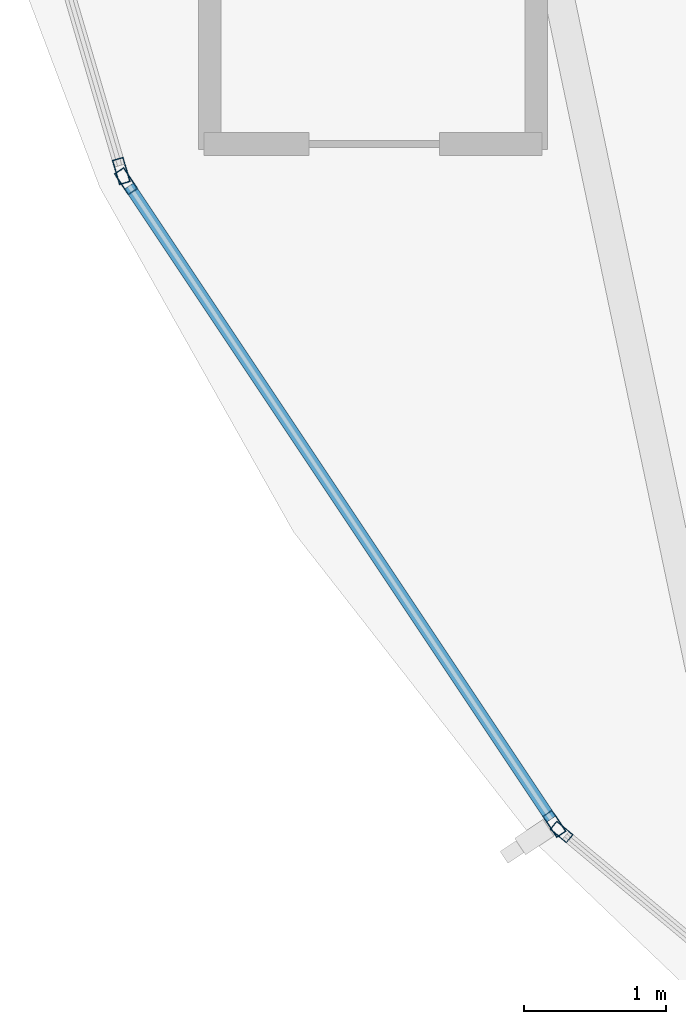
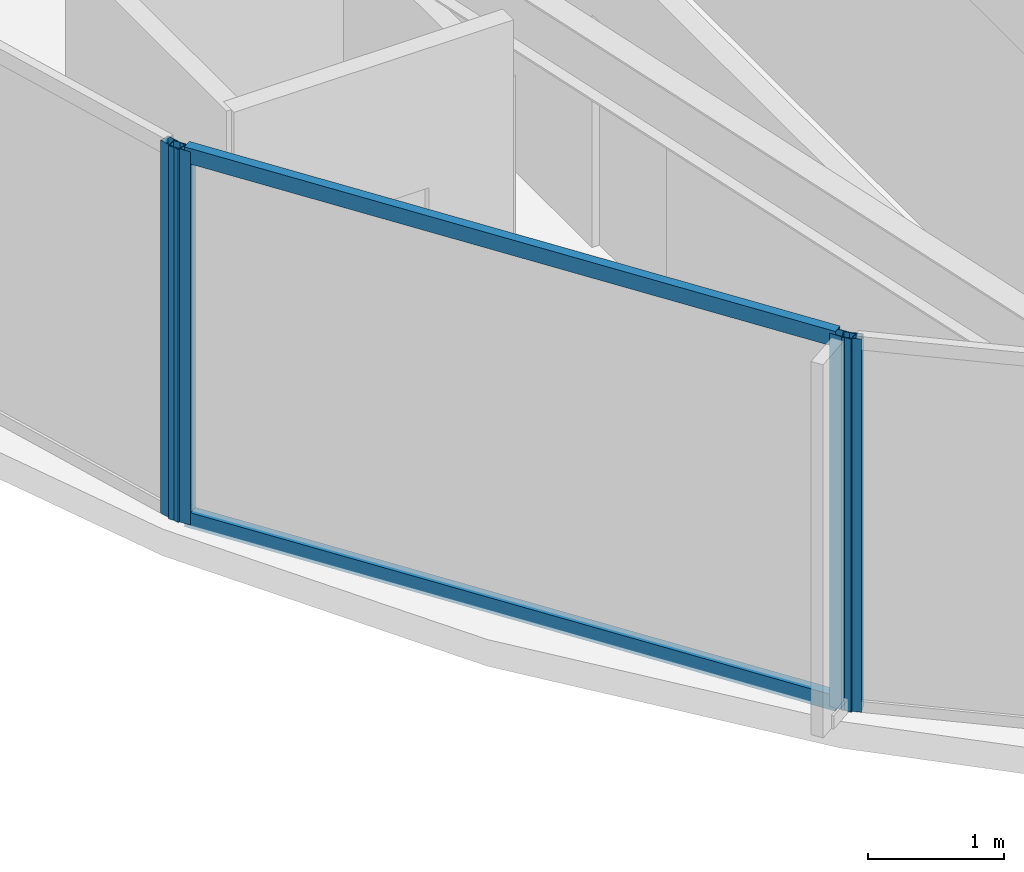
# One storey, part 3 of 29: 6 members, 3 elements without a shape of their own.
"""IFC4 building model written with IfcOpenShell, lengths in metres."""

from ifc_helpers import new_model, si_unit, direction, frame, origin, origin_2d, place, context, subcontext, project, spatial, hollow_rectangle, extrude, material, layer, layer_set, material_profile, profile_set, type_object, element, aggregate, save


model = new_model("IFC4")

# Units and contexts
model_context = context("Model", 3, precision=1e-05, world=origin(), true_north=direction((0.0, 1.0)))
body_context = subcontext(model_context, "Body", "Model", "MODEL_VIEW")
ifc_project = project(units=[si_unit("LENGTHUNIT", "METRE"), si_unit("AREAUNIT", "SQUARE_METRE"), si_unit("VOLUMEUNIT", "CUBIC_METRE"), si_unit("PLANEANGLEUNIT", "RADIAN"), si_unit("MASSUNIT", "GRAM", prefix="KILO")], contexts=[model_context])

# Site, building, storey
site_placement = place(None, origin())
site = spatial("IfcSite", under=ifc_project, at=site_placement, CompositionType="ELEMENT")
building_placement = place(site_placement, origin())
building = spatial("IfcBuilding", under=site, at=building_placement, Name="Kazevale Care Tower and Concert Hall", CompositionType="ELEMENT")
storey_placement = place(building_placement, frame((0.0, 0.0, 224.39990234375)))
storey = spatial("IfcBuildingStorey", under=building, at=storey_placement, Name="L59", CompositionType="ELEMENT", Elevation=224.39990234375)

# Curtain wall, members
ifc_material_1 = material(Name="Aluminium 6063-T6 and Low-E Glass", Category="aluminium")
ifc_layer_1 = layer(ifc_material_1, 0.179931640625)
ifc_layer_set_1 = layer_set([ifc_layer_1], Name="Aluminium 6063-T6 and Low-E Glass")
curtain_wall_type_1 = type_object("IfcCurtainWallType", Name="Waist & Upper Residential Curtain Wall CW-4", PredefinedType="NOTDEFINED", material=ifc_layer_set_1)
curtain_wall_1_placement = place(storey_placement, origin())
curtain_wall_1 = element("IfcCurtainWall", 1, at=curtain_wall_1_placement, inside=storey, type_object=curtain_wall_type_1, Name="cw:L59:f11", PredefinedType="NOTDEFINED")
ifc_material_2 = material(Name="Aluminium 6063-T6", Category="aluminium")
ifc_material_profile_1 = material_profile(ifc_material_2, hollow_rectangle(XDim=0.080078125, YDim=0.179931640625, WallThickness=0.0048828125, at=origin_2d()), Name="ALU80x180x5")
ifc_profile_set_1 = profile_set([ifc_material_profile_1], Name="Aluminium 6063-T6")
member_type_1 = type_object("IfcMemberType", Name="CW-4 Mullion ALU80x180x5", PredefinedType="MULLION", material=ifc_profile_set_1)
member_1_placement = place(storey_placement, frame((18.185791015625, 25.26318359375, 0.0), z_axis=(0.0, 0.0, 1.0), x_axis=(-0.832106058512, -0.554616540853, 0.0)))
member_1 = element("IfcMember", 2, at=member_1_placement, type_object=member_type_1, Name="CW-4 mullion 1", PredefinedType="MULLION", context=body_context, shape_type="SweptSolid", body=[
    extrude(hollow_rectangle(XDim=0.080078125, YDim=0.179931640625, WallThickness=0.0048828125, at=origin_2d()), origin(), (0.0, 0.0, 1.0), 3.360107421875),
])
member_2_placement = place(storey_placement, frame((15.170166015625, 29.78759765625, 0.0), z_axis=(0.0, 0.0, 1.0), x_axis=(-0.832106058512, -0.554616540853, 0.0)))
member_2 = element("IfcMember", 3, at=member_2_placement, type_object=member_type_1, Name="CW-4 mullion 2", PredefinedType="MULLION", context=body_context, shape_type="SweptSolid", body=[
    extrude(hollow_rectangle(XDim=0.080078125, YDim=0.179931640625, WallThickness=0.0048828125, at=origin_2d()), origin(), (0.0, 0.0, 1.0), 3.360107421875),
])

# Curtain wall, member
curtain_wall_2_placement = place(storey_placement, origin())
curtain_wall_2 = element("IfcCurtainWall", 4, at=curtain_wall_2_placement, inside=storey, type_object=curtain_wall_type_1, Name="cw:L59:f12", PredefinedType="NOTDEFINED")
member_3_placement = place(storey_placement, frame((15.13671875, 29.859375, 0.0), z_axis=(0.0, 0.0, 1.0), x_axis=(-0.959385539982, -0.282098184457, 0.0)))
member_3 = element("IfcMember", 5, at=member_3_placement, type_object=member_type_1, Name="CW-4 mullion 1", PredefinedType="MULLION", context=body_context, shape_type="SweptSolid", body=[
    extrude(hollow_rectangle(XDim=0.080078125, YDim=0.179931640625, WallThickness=0.0048828125, at=origin_2d()), origin(), (0.0, 0.0, 1.0), 3.360107421875),
])
aggregate(curtain_wall_2, [member_3])

# Member
ifc_material_profile_2 = material_profile(ifc_material_2, hollow_rectangle(XDim=0.080078125, YDim=0.139892578125, WallThickness=0.00390625, at=origin_2d()), Name="ALU80x140x4")
ifc_profile_set_2 = profile_set([ifc_material_profile_2], Name="Aluminium 6063-T6")
member_type_2 = type_object("IfcMemberType", Name="CW-4 Transom ALU80x140x4", PredefinedType="USERDEFINED", material=ifc_profile_set_2)
member_4_placement = place(storey_placement, frame((18.16357421875, 25.296630859375, 0.0400390625), z_axis=(-0.554616059735, 0.832106379187, 0.0), x_axis=(-0.832106379187, -0.554616059735, 0.0)))
member_4 = element("IfcMember", 6, at=member_4_placement, type_object=member_type_2, Name="CW-4 transom 1.1", ObjectType="TRANSOM", PredefinedType="USERDEFINED", context=body_context, shape_type="SweptSolid", body=[
    extrude(hollow_rectangle(XDim=0.080078125, YDim=0.139892578125, WallThickness=0.00390625, at=origin_2d()), origin(), (0.0, 0.0, 1.0), 5.357177734375),
])

member_5_placement = place(storey_placement, frame((18.16357421875, 25.296630859375, 3.320068359375), z_axis=(-0.554616059735, 0.832106379187, 0.0), x_axis=(-0.832106379187, -0.554616059735, 0.0)))
member_5 = element("IfcMember", 7, at=member_5_placement, type_object=member_type_2, Name="CW-4 transom 1.2", ObjectType="TRANSOM", PredefinedType="USERDEFINED", context=body_context, shape_type="SweptSolid", body=[
    extrude(hollow_rectangle(XDim=0.080078125, YDim=0.139892578125, WallThickness=0.00390625, at=origin_2d()), origin(), (0.0, 0.0, 1.0), 5.357177734375),
])

aggregate(curtain_wall_1, [member_1, member_2, member_4, member_5])

# Curtain wall, member
ifc_layer_2 = layer(ifc_material_1, 0.179931640625)
ifc_layer_set_2 = layer_set([ifc_layer_2], Name="Aluminium 6063-T6 and Low-E Glass")
curtain_wall_type_2 = type_object("IfcCurtainWallType", Name="Sheltered Concave Balcony Curtain Wall CW-5", PredefinedType="NOTDEFINED", material=ifc_layer_set_2)
curtain_wall_3_placement = place(storey_placement, origin())
curtain_wall_3 = element("IfcCurtainWall", 8, at=curtain_wall_3_placement, inside=storey, type_object=curtain_wall_type_2, Name="cw:L59:f10", PredefinedType="NOTDEFINED")
ifc_material_profile_3 = material_profile(ifc_material_2, hollow_rectangle(XDim=0.074951171875, YDim=0.14990234375, WallThickness=0.00390625, at=origin_2d()), Name="ALU75x150x4")
ifc_profile_set_3 = profile_set([ifc_material_profile_3], Name="Aluminium 6063-T6")
member_type_3 = type_object("IfcMemberType", Name="CW-5 Mullion ALU75x150x4", PredefinedType="MULLION", material=ifc_profile_set_3)
member_6_placement = place(storey_placement, frame((18.23681640625, 25.2060546875, 0.0), z_axis=(0.0, 0.0, 1.0), x_axis=(-0.639961217204, -0.768407210062, 0.0)))
member_6 = element("IfcMember", 9, at=member_6_placement, type_object=member_type_3, Name="CW-5 mullion 2", PredefinedType="MULLION", context=body_context, shape_type="SweptSolid", body=[
    extrude(hollow_rectangle(XDim=0.074951171875, YDim=0.14990234375, WallThickness=0.00390625, at=origin_2d()), origin(), (0.0, 0.0, 1.0), 3.360107421875),
])
aggregate(curtain_wall_3, [member_6])

save(model, "model.ifc")
